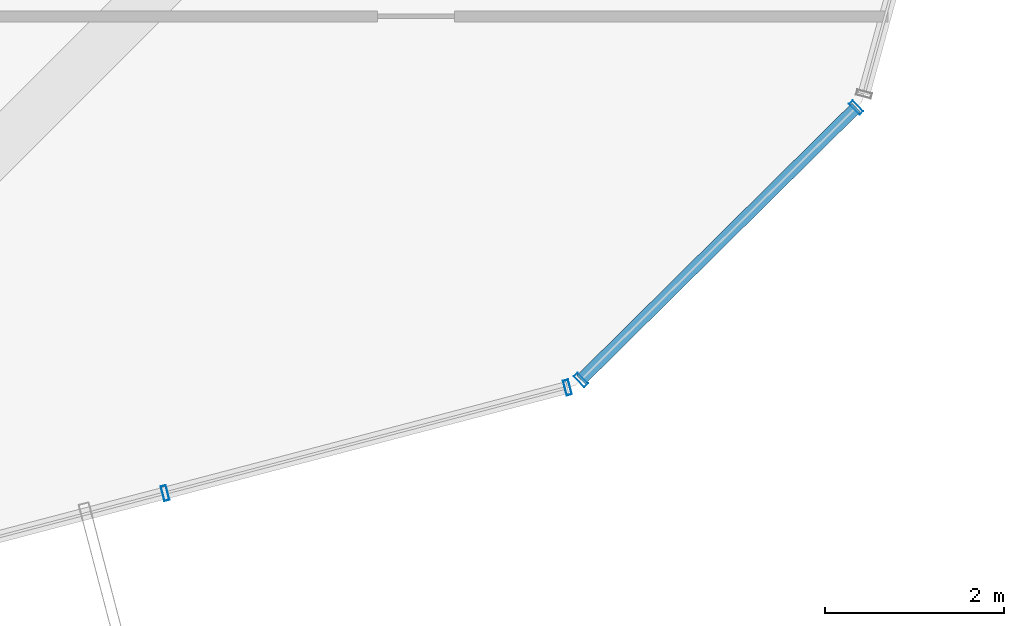
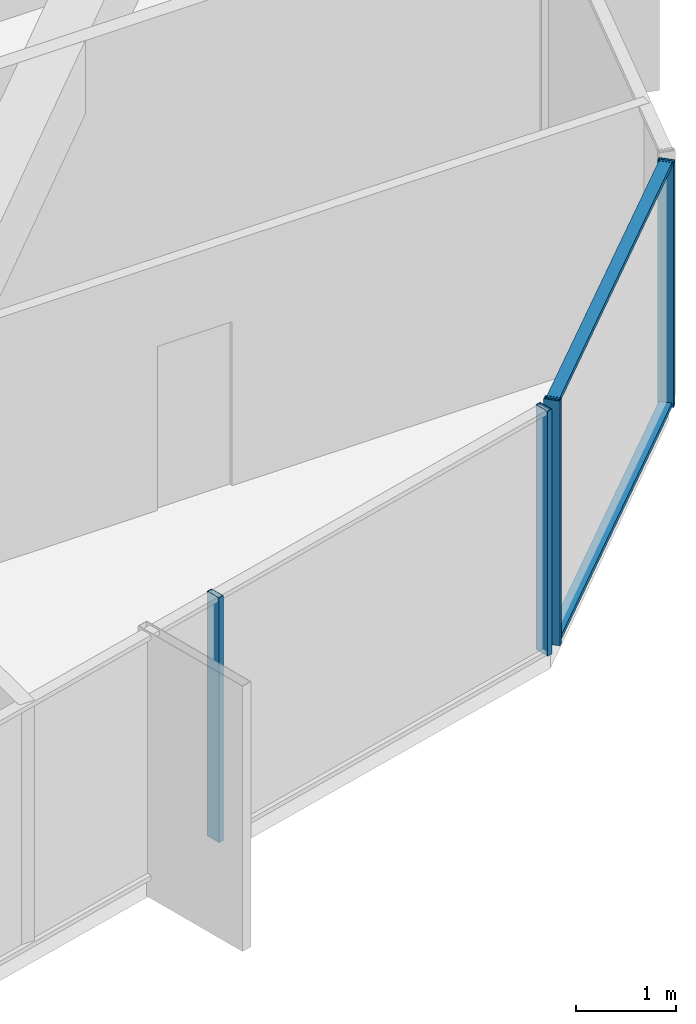
# One storey, part 13 of 39: 6 members, 2 elements without a shape of their own.
"""IFC4 building model written with IfcOpenShell, lengths in metres."""

from ifc_helpers import new_model, si_unit, direction, frame, origin, origin_2d, place, context, subcontext, project, spatial, hollow_rectangle, extrude, source, transform, mapped, material, layer, layer_set, material_profile, profile_set, type_object, element, aggregate, save


model = new_model("IFC4")

# Units and contexts
model_context = context("Model", 3, precision=1e-05, world=origin(), true_north=direction((0.0, 1.0)))
body_context = subcontext(model_context, "Body", "Model", "MODEL_VIEW")
ifc_project = project(units=[si_unit("LENGTHUNIT", "METRE"), si_unit("AREAUNIT", "SQUARE_METRE"), si_unit("VOLUMEUNIT", "CUBIC_METRE"), si_unit("PLANEANGLEUNIT", "RADIAN"), si_unit("MASSUNIT", "GRAM", prefix="KILO")], contexts=[model_context])

# Site, building, storey
site_placement = place(None, origin())
site = spatial("IfcSite", under=ifc_project, at=site_placement, CompositionType="ELEMENT")
building_placement = place(site_placement, origin())
building = spatial("IfcBuilding", under=site, at=building_placement, Name="Veraguas Prism Commons", CompositionType="ELEMENT")
storey_placement = place(building_placement, frame((0.0, 0.0, 73.85009765625)))
storey = spatial("IfcBuildingStorey", under=building, at=storey_placement, Name="L20", CompositionType="ELEMENT", Elevation=73.85009765625)

# Curtain wall, members
ifc_material = material(Name="Anodised aluminium EN AW-6063 T6", Category="aluminium")
ifc_layer = layer(ifc_material, 0.169921875, Name="Unitised Flush Curtain Wall Zone 1", Category="aluminium")
ifc_layer_set = layer_set([ifc_layer], Name="Anodised aluminium EN AW-6063 T6")
curtain_wall_type = type_object("IfcCurtainWallType", Name="Unitised Flush Curtain Wall Zone 1", PredefinedType="NOTDEFINED", material=ifc_layer_set)
curtain_wall_1_placement = place(storey_placement, origin())
curtain_wall_1 = element("IfcCurtainWall", 1, at=curtain_wall_1_placement, inside=storey, type_object=curtain_wall_type, Name="Tower Facade Curtain Wall L20-F5", PredefinedType="NOTDEFINED")
ifc_material_profile_1 = material_profile(ifc_material, hollow_rectangle(XDim=0.06005859375, YDim=0.169921875, WallThickness=0.00390625, at=origin_2d()), Name="AL60X170X4")
ifc_profile_set_1 = profile_set([ifc_material_profile_1], Name="Anodised aluminium EN AW-6063 T6")
member_type_1 = type_object("IfcMemberType", Name="Curtain Wall Mullion Lower AL 60x170x4", PredefinedType="MULLION", material=ifc_profile_set_1)
shared_shape_1 = source(origin(), body_context, "Body", "SweptSolid", [
    extrude(hollow_rectangle(XDim=0.06005859375, YDim=0.169921875, WallThickness=0.00390625, at=origin_2d()), origin(), (0.0, 0.0, 1.0), 3.0),
])
member_1_placement = place(storey_placement, frame((33.792236328125, 5.0810546875, 0.0), z_axis=(0.0, 0.0, 1.0), x_axis=(0.967267309883, 0.253759632785, 0.0)))
member_1 = element("IfcMember", 2, at=member_1_placement, type_object=member_type_1, Name="CW-Z1 Mullion 4", PredefinedType="MULLION", context=body_context, shape_type="MappedRepresentation", body=[
    mapped(shared_shape_1, transform((0.0, 0.0, 0.0), scale=1.0)),
])
member_2_placement = place(storey_placement, frame((38.281494140625, 6.2587890625, 0.0), z_axis=(0.0, 0.0, 1.0), x_axis=(0.967267309883, 0.253759632785, 0.0)))
member_2 = element("IfcMember", 3, at=member_2_placement, type_object=member_type_1, Name="CW-Z1 Mullion 5", PredefinedType="MULLION", context=body_context, shape_type="MappedRepresentation", body=[
    mapped(shared_shape_1, transform((0.0, 0.0, 0.0), scale=1.0)),
])
aggregate(curtain_wall_1, [member_1, member_2])

curtain_wall_2_placement = place(storey_placement, origin())
curtain_wall_2 = element("IfcCurtainWall", 4, at=curtain_wall_2_placement, inside=storey, type_object=curtain_wall_type, Name="Chamfer Curtain Wall L20-C6", PredefinedType="NOTDEFINED")
member_3_placement = place(storey_placement, frame((38.432373046875, 6.3447265625, 0.0), z_axis=(0.0, 0.0, 1.0), x_axis=(0.710806839766, 0.703387259297, 0.0)))
member_3 = element("IfcMember", 5, at=member_3_placement, type_object=member_type_1, Name="CW-Z1 Mullion 1", PredefinedType="MULLION", context=body_context, shape_type="MappedRepresentation", body=[
    mapped(shared_shape_1, transform((0.0, 0.0, 0.0), scale=1.0)),
])
member_4_placement = place(storey_placement, frame((41.503173828125, 9.383544921875, 0.0), z_axis=(0.0, 0.0, 1.0), x_axis=(0.710806839766, 0.703387259297, 0.0)))
member_4 = element("IfcMember", 6, at=member_4_placement, type_object=member_type_1, Name="CW-Z1 Mullion 2", PredefinedType="MULLION", context=body_context, shape_type="MappedRepresentation", body=[
    mapped(shared_shape_1, transform((0.0, 0.0, 0.0), scale=1.0)),
])
ifc_material_profile_2 = material_profile(ifc_material, hollow_rectangle(XDim=0.054931640625, YDim=0.135009765625, WallThickness=0.0029296875, at=origin_2d()), Name="AL55X135X3")
ifc_profile_set_2 = profile_set([ifc_material_profile_2], Name="Anodised aluminium EN AW-6063 T6")
member_type_2 = type_object("IfcMemberType", Name="Curtain Wall Transom Standard AL 55x135x3", PredefinedType="USERDEFINED", material=ifc_profile_set_2)
shared_shape_2 = source(origin(), body_context, "Body", "SweptSolid", [
    extrude(hollow_rectangle(XDim=0.054931640625, YDim=0.135009765625, WallThickness=0.0029296875, at=origin_2d()), origin(), (0.0, 0.0, 1.0), 4.3203125),
])
member_5_placement = place(storey_placement, frame((38.432373046875, 6.3447265625, 0.02734375), z_axis=(0.710798580325, 0.703395605764, 0.0), x_axis=(0.0, 0.0, 1.0)))
member_5 = element("IfcMember", 7, at=member_5_placement, type_object=member_type_2, Name="CW-Z1 Transom 1", ObjectType="TRANSOM", PredefinedType="USERDEFINED", context=body_context, shape_type="MappedRepresentation", body=[
    mapped(shared_shape_2, transform((0.0, 0.0, 0.0), scale=1.0)),
])
member_6_placement = place(storey_placement, frame((38.432373046875, 6.3447265625, 2.972412109375), z_axis=(0.710798580325, 0.703395605764, 0.0), x_axis=(0.0, 0.0, 1.0)))
member_6 = element("IfcMember", 8, at=member_6_placement, type_object=member_type_2, Name="CW-Z1 Transom 2", ObjectType="TRANSOM", PredefinedType="USERDEFINED", context=body_context, shape_type="MappedRepresentation", body=[
    mapped(shared_shape_2, transform((0.0, 0.0, 0.0), scale=1.0)),
])
aggregate(curtain_wall_2, [member_3, member_4, member_5, member_6])

save(model, "model.ifc")
